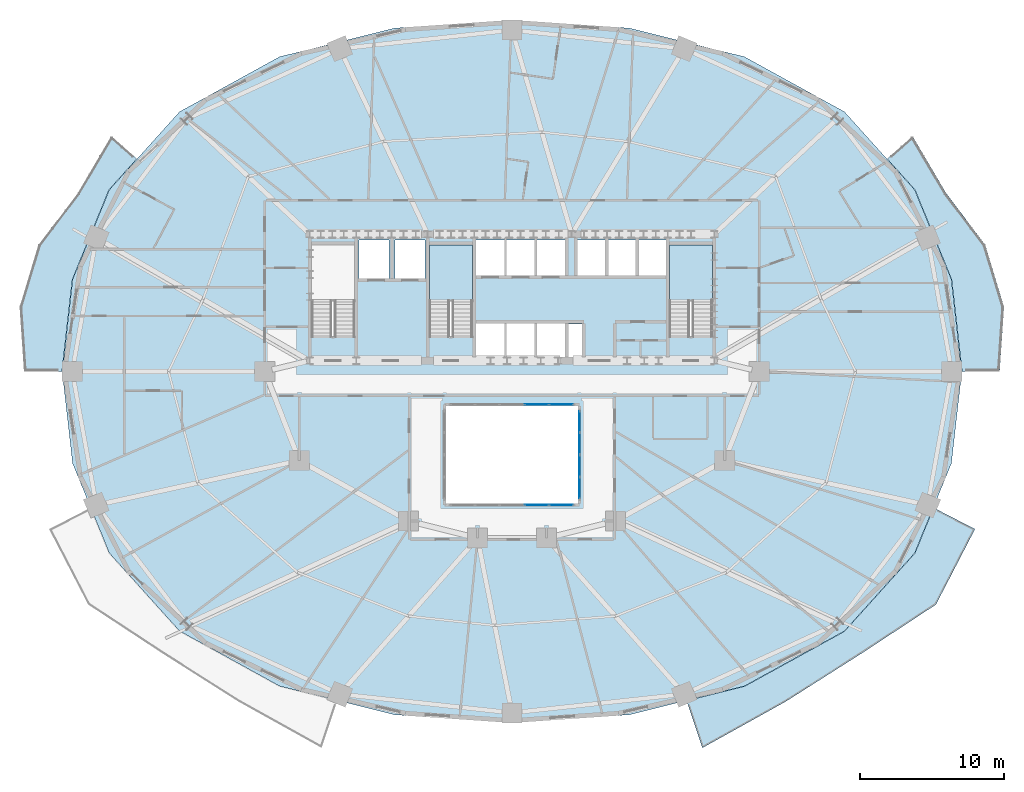
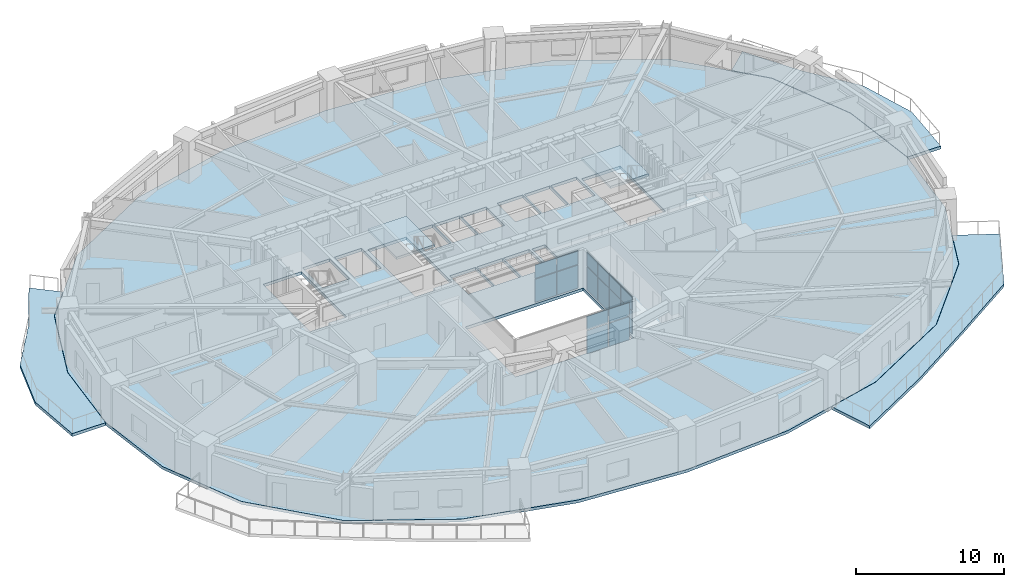
# One storey, part 8 of 18: 16 plates, 6 slabs, 5 elements without a shape of their own.
"""IFC4 building model written with IfcOpenShell, lengths in metres."""

from ifc_helpers import new_model, si_unit, direction, frame, origin, origin_2d, place, context, subcontext, project, spatial, polyline, rectangle, outline, extrude, material, layer, layer_set, type_object, element, aggregate, save


model = new_model("IFC4")

# Units and contexts
model_context = context("Model", 3, precision=1e-05, world=origin(), true_north=direction((0.0, 1.0)))
body_context = subcontext(model_context, "Body", "Model", "MODEL_VIEW")
ifc_project = project(units=[si_unit("LENGTHUNIT", "METRE"), si_unit("AREAUNIT", "SQUARE_METRE"), si_unit("VOLUMEUNIT", "CUBIC_METRE"), si_unit("PLANEANGLEUNIT", "RADIAN"), si_unit("MASSUNIT", "GRAM", prefix="KILO")], contexts=[model_context])

# Site, building, storey
site_placement = place(None, origin())
site = spatial("IfcSite", under=ifc_project, at=site_placement, CompositionType="ELEMENT")
building_placement = place(site_placement, origin())
building = spatial("IfcBuilding", under=site, at=building_placement, Name="Haldorwick Loom Tower", CompositionType="ELEMENT")
storey_placement = place(building_placement, frame((0.0, 0.0, 41.25)))
storey = spatial("IfcBuildingStorey", under=building, at=storey_placement, Name="L10", CompositionType="ELEMENT", Elevation=41.25)

# Curtain wall, plates
ifc_material_1 = material(Name="Thermally Broken Anodized Aluminium Curtain Wall Framing", Category="aluminium")
curtain_wall_type = type_object("IfcCurtainWallType", Name="ARC-CW-03", PredefinedType="NOTDEFINED", material=ifc_material_1)
curtain_wall_1_placement = place(storey_placement, origin())
curtain_wall_1 = element("IfcCurtainWall", 1, at=curtain_wall_1_placement, inside=storey, type_object=curtain_wall_type, Name="L10 Atrium Glazed Screen S", PredefinedType="NOTDEFINED")
ifc_material_2 = material(Name="Triple-Glazed Low-E Argon Insulated Glazing Unit", Category="glass")
ifc_layer_1 = layer(ifc_material_2, 0.04296875, Name="Triple-Glazed Low-E Argon Insulated Glazing Unit", Category="glass")
ifc_layer_set_1 = layer_set([ifc_layer_1], Name="Triple-Glazed Low-E Argon Insulated Glazing Unit")
plate_type = type_object("IfcPlateType", Name="ARC-CWP-03", PredefinedType="CURTAIN_PANEL", material=ifc_layer_set_1)
plate_1_placement = place(storey_placement, frame((39.423583984375, 16.699951171875, 0.066162109375), z_axis=(0.0, 0.0, 1.0), x_axis=(-1.0, 0.0, 0.0)))
plate_1 = element("IfcPlate", 2, at=plate_1_placement, type_object=plate_type, Name="CW-03 panel 1.1", PredefinedType="CURTAIN_PANEL", context=body_context, shape_type="SweptSolid", body=[
    extrude(rectangle(XDim=1.62109375, YDim=0.04296875, at=origin_2d()), origin(), (0.0, 0.0, 1.0), 1.90087890625),
])
plate_2_placement = place(storey_placement, frame((39.423583984375, 16.699951171875, 2.03271484375), z_axis=(0.0, 0.0, 1.0), x_axis=(-1.0, 0.0, 0.0)))
plate_2 = element("IfcPlate", 3, at=plate_2_placement, type_object=plate_type, Name="CW-03 panel 1.2", PredefinedType="CURTAIN_PANEL", context=body_context, shape_type="SweptSolid", body=[
    extrude(rectangle(XDim=1.62109375, YDim=0.04296875, at=origin_2d()), origin(), (0.0, 0.0, 1.0), 1.111083984375),
])
plate_3_placement = place(storey_placement, frame((37.719970703125, 16.699951171875, 0.066162109375), z_axis=(0.0, 0.0, 1.0), x_axis=(-1.0, 0.0, 0.0)))
plate_3 = element("IfcPlate", 4, at=plate_3_placement, type_object=plate_type, Name="CW-03 panel 2.1", PredefinedType="CURTAIN_PANEL", context=body_context, shape_type="SweptSolid", body=[
    extrude(rectangle(XDim=1.654052734375, YDim=0.04296875, at=origin_2d()), origin(), (0.0, 0.0, 1.0), 1.90087890625),
])
plate_4_placement = place(storey_placement, frame((37.719970703125, 16.699951171875, 2.03271484375), z_axis=(0.0, 0.0, 1.0), x_axis=(-1.0, 0.0, 0.0)))
plate_4 = element("IfcPlate", 5, at=plate_4_placement, type_object=plate_type, Name="CW-03 panel 2.2", PredefinedType="CURTAIN_PANEL", context=body_context, shape_type="SweptSolid", body=[
    extrude(rectangle(XDim=1.654052734375, YDim=0.04296875, at=origin_2d()), origin(), (0.0, 0.0, 1.0), 1.111083984375),
])
aggregate(curtain_wall_1, [plate_1, plate_2, plate_3, plate_4])

curtain_wall_2_placement = place(storey_placement, origin())
curtain_wall_2 = element("IfcCurtainWall", 6, at=curtain_wall_2_placement, inside=storey, type_object=curtain_wall_type, Name="L10 Atrium Glazed Screen N", PredefinedType="NOTDEFINED")
plate_5_placement = place(storey_placement, frame((37.719970703125, 23.699951171875, 0.066162109375), z_axis=(0.0, 0.0, 1.0), x_axis=(1.0, 0.0, 0.0)))
plate_5 = element("IfcPlate", 7, at=plate_5_placement, type_object=plate_type, Name="CW-03 panel 4.1", PredefinedType="CURTAIN_PANEL", context=body_context, shape_type="SweptSolid", body=[
    extrude(rectangle(XDim=1.654052734375, YDim=0.04296875, at=origin_2d()), origin(), (0.0, 0.0, 1.0), 1.90087890625),
])
plate_6_placement = place(storey_placement, frame((37.719970703125, 23.699951171875, 2.03271484375), z_axis=(0.0, 0.0, 1.0), x_axis=(1.0, 0.0, 0.0)))
plate_6 = element("IfcPlate", 8, at=plate_6_placement, type_object=plate_type, Name="CW-03 panel 4.2", PredefinedType="CURTAIN_PANEL", context=body_context, shape_type="SweptSolid", body=[
    extrude(rectangle(XDim=1.654052734375, YDim=0.04296875, at=origin_2d()), origin(), (0.0, 0.0, 1.0), 1.111083984375),
])
plate_7_placement = place(storey_placement, frame((39.423583984375, 23.699951171875, 0.066162109375), z_axis=(0.0, 0.0, 1.0), x_axis=(1.0, 0.0, 0.0)))
plate_7 = element("IfcPlate", 9, at=plate_7_placement, type_object=plate_type, Name="CW-03 panel 5.1", PredefinedType="CURTAIN_PANEL", context=body_context, shape_type="SweptSolid", body=[
    extrude(rectangle(XDim=1.62109375, YDim=0.04296875, at=origin_2d()), origin(), (0.0, 0.0, 1.0), 1.90087890625),
])
plate_8_placement = place(storey_placement, frame((39.423583984375, 23.699951171875, 2.03271484375), z_axis=(0.0, 0.0, 1.0), x_axis=(1.0, 0.0, 0.0)))
plate_8 = element("IfcPlate", 10, at=plate_8_placement, type_object=plate_type, Name="CW-03 panel 5.2", PredefinedType="CURTAIN_PANEL", context=body_context, shape_type="SweptSolid", body=[
    extrude(rectangle(XDim=1.62109375, YDim=0.04296875, at=origin_2d()), origin(), (0.0, 0.0, 1.0), 1.111083984375),
])
aggregate(curtain_wall_2, [plate_5, plate_6, plate_7, plate_8])

curtain_wall_3_placement = place(storey_placement, origin())
curtain_wall_3 = element("IfcCurtainWall", 11, at=curtain_wall_3_placement, inside=storey, type_object=curtain_wall_type, Name="L10 Atrium Glazed Screen E", PredefinedType="NOTDEFINED")
plate_9_placement = place(storey_placement, frame((40.699951171875, 22.508544921875, 0.066162109375), z_axis=(0.0, 0.0, 1.0), x_axis=(0.0, -1.0, 0.0)))
plate_9 = element("IfcPlate", 12, at=plate_9_placement, type_object=plate_type, Name="CW-03 panel 1.1", PredefinedType="CURTAIN_PANEL", context=body_context, shape_type="SweptSolid", body=[
    extrude(rectangle(XDim=1.450927734375, YDim=0.04296875, at=origin_2d()), origin(), (0.0, 0.0, 1.0), 1.90087890625),
])
plate_10_placement = place(storey_placement, frame((40.699951171875, 22.508544921875, 2.03271484375), z_axis=(0.0, 0.0, 1.0), x_axis=(0.0, -1.0, 0.0)))
plate_10 = element("IfcPlate", 13, at=plate_10_placement, type_object=plate_type, Name="CW-03 panel 1.2", PredefinedType="CURTAIN_PANEL", context=body_context, shape_type="SweptSolid", body=[
    extrude(rectangle(XDim=1.450927734375, YDim=0.04296875, at=origin_2d()), origin(), (0.0, 0.0, 1.0), 1.111083984375),
])
plate_11_placement = place(storey_placement, frame((40.699951171875, 20.97509765625, 0.066162109375), z_axis=(0.0, 0.0, 1.0), x_axis=(0.0, -1.0, 0.0)))
plate_11 = element("IfcPlate", 14, at=plate_11_placement, type_object=plate_type, Name="CW-03 panel 2.1", PredefinedType="CURTAIN_PANEL", context=body_context, shape_type="SweptSolid", body=[
    extrude(rectangle(XDim=1.48388671875, YDim=0.04296875, at=origin_2d()), origin(), (0.0, 0.0, 1.0), 1.90087890625),
])
plate_12_placement = place(storey_placement, frame((40.699951171875, 20.97509765625, 2.03271484375), z_axis=(0.0, 0.0, 1.0), x_axis=(0.0, -1.0, 0.0)))
plate_12 = element("IfcPlate", 15, at=plate_12_placement, type_object=plate_type, Name="CW-03 panel 2.2", PredefinedType="CURTAIN_PANEL", context=body_context, shape_type="SweptSolid", body=[
    extrude(rectangle(XDim=1.48388671875, YDim=0.04296875, at=origin_2d()), origin(), (0.0, 0.0, 1.0), 1.111083984375),
])
plate_13_placement = place(storey_placement, frame((40.699951171875, 19.425048828125, 0.066162109375), z_axis=(0.0, 0.0, 1.0), x_axis=(0.0, -1.0, 0.0)))
plate_13 = element("IfcPlate", 16, at=plate_13_placement, type_object=plate_type, Name="CW-03 panel 3.1", PredefinedType="CURTAIN_PANEL", context=body_context, shape_type="SweptSolid", body=[
    extrude(rectangle(XDim=1.48388671875, YDim=0.04296875, at=origin_2d()), origin(), (0.0, 0.0, 1.0), 1.90087890625),
])
plate_14_placement = place(storey_placement, frame((40.699951171875, 19.425048828125, 2.03271484375), z_axis=(0.0, 0.0, 1.0), x_axis=(0.0, -1.0, 0.0)))
plate_14 = element("IfcPlate", 17, at=plate_14_placement, type_object=plate_type, Name="CW-03 panel 3.2", PredefinedType="CURTAIN_PANEL", context=body_context, shape_type="SweptSolid", body=[
    extrude(rectangle(XDim=1.48388671875, YDim=0.04296875, at=origin_2d()), origin(), (0.0, 0.0, 1.0), 1.111083984375),
])
plate_15_placement = place(storey_placement, frame((40.699951171875, 17.8916015625, 0.066162109375), z_axis=(0.0, 0.0, 1.0), x_axis=(0.0, -1.0, 0.0)))
plate_15 = element("IfcPlate", 18, at=plate_15_placement, type_object=plate_type, Name="CW-03 panel 4.1", PredefinedType="CURTAIN_PANEL", context=body_context, shape_type="SweptSolid", body=[
    extrude(rectangle(XDim=1.450927734375, YDim=0.04296875, at=origin_2d()), origin(), (0.0, 0.0, 1.0), 1.90087890625),
])
plate_16_placement = place(storey_placement, frame((40.699951171875, 17.8916015625, 2.03271484375), z_axis=(0.0, 0.0, 1.0), x_axis=(0.0, -1.0, 0.0)))
plate_16 = element("IfcPlate", 19, at=plate_16_placement, type_object=plate_type, Name="CW-03 panel 4.2", PredefinedType="CURTAIN_PANEL", context=body_context, shape_type="SweptSolid", body=[
    extrude(rectangle(XDim=1.450927734375, YDim=0.04296875, at=origin_2d()), origin(), (0.0, 0.0, 1.0), 1.111083984375),
])
aggregate(curtain_wall_3, [plate_9, plate_10, plate_11, plate_12, plate_13, plate_14, plate_15, plate_16])

# Slabs
ifc_material_3 = material(Name="Concrete C40 (40 MPa)", Category="concrete")
ifc_layer_2 = layer(ifc_material_3, 0.239990234375, Name="Concrete C40 (40 MPa)", Category="concrete")
ifc_layer_set_2 = layer_set([ifc_layer_2], Name="Concrete C40 (40 MPa)")
slab_type_1 = type_object("IfcSlabType", Name="STR-SLB-BAL240", PredefinedType="FLOOR", material=ifc_layer_set_2)
slab_1_placement = place(storey_placement, frame((0.0, 0.0, -0.239990234375)))
element("IfcSlab", 20, at=slab_1_placement, inside=storey, type_object=slab_type_1, Name="L10 Sinusoidal Balcony Terrace BAL_SE", PredefinedType="FLOOR", context=body_context, shape_type="SweptSolid", body=[
    extrude(outline(polyline([(65.324462890625, 16.51708984375), (64.031494140625, 13.356689453125), (64.031005859375, 13.355712890625), (64.030517578125, 13.3544921875), (64.02978515625, 13.353515625), (64.02880859375, 13.3525390625), (59.13623046875, 7.92333984375), (59.13525390625, 7.922119140625), (59.1337890625, 7.921142578125), (59.13232421875, 7.92041015625), (52.18310546875, 4.09814453125), (52.18212890625, 4.097412109375), (52.180908203125, 4.096923828125), (52.1796875, 4.0966796875), (48.15185546875, 3.091064453125), (49.24658203125, -0.189208984375), (55.027587890625, 3.0263671875), (60.330810546875, 6.390380859375), (65.49072265625, 9.7822265625), (68.208984375, 15.03076171875), (65.324462890625, 16.51708984375)])), origin(), (0.0, 0.0, 1.0), 0.239990234375),
])
slab_2_placement = place(storey_placement, frame((0.0, 0.0, -0.239990234375)))
element("IfcSlab", 21, at=slab_2_placement, inside=storey, type_object=slab_type_1, Name="L10 Sinusoidal Balcony Terrace BAL_WNW", PredefinedType="FLOOR", context=body_context, shape_type="SweptSolid", body=[
    extrude(outline(polyline([(4.68896484375, 26.0), (4.689208984375, 26.001708984375), (5.41552734375, 32.40087890625), (5.415771484375, 32.40234375), (5.416015625, 32.40380859375), (5.41650390625, 32.405029296875), (7.968505859375, 38.643310546875), (7.968994140625, 38.644287109375), (7.969482421875, 38.6455078125), (7.97021484375, 38.646484375), (7.97119140625, 38.6474609375), (9.901123046875, 40.7890625), (8.1337890625, 42.366943359375), (5.800048828125, 38.401123046875), (3.07373046875, 34.795654296875), (1.771240234375, 30.487060546875), (2.073974609375, 26.0), (4.68896484375, 26.0)])), origin(), (0.0, 0.0, 1.0), 0.239990234375),
])
slab_3_placement = place(storey_placement, frame((0.0, 0.0, -0.239990234375)))
element("IfcSlab", 22, at=slab_3_placement, inside=storey, type_object=slab_type_1, Name="L10 Sinusoidal Balcony Terrace BAL_ENE", PredefinedType="FLOOR", context=body_context, shape_type="SweptSolid", body=[
    extrude(outline(polyline([(62.098876953125, 40.7890625), (64.02880859375, 38.6474609375), (64.02978515625, 38.646484375), (64.030517578125, 38.6455078125), (64.031005859375, 38.644287109375), (64.031494140625, 38.643310546875), (66.58349609375, 32.405029296875), (66.583984375, 32.40380859375), (66.584228515625, 32.40234375), (66.58447265625, 32.40087890625), (67.310791015625, 26.001708984375), (67.31103515625, 26.0), (69.926025390625, 26.0), (70.228759765625, 30.487060546875), (68.92626953125, 34.795654296875), (66.199951171875, 38.401123046875), (63.8662109375, 42.366943359375), (62.098876953125, 40.7890625)])), origin(), (0.0, 0.0, 1.0), 0.239990234375),
])

# Stair, slab
stair_type = type_object("IfcStairType", Name="STR-STR-CORE", PredefinedType="HALF_TURN_STAIR", material=ifc_material_3)
stair_1_placement = place(storey_placement, origin())
stair_1 = element("IfcStair", 23, at=stair_1_placement, inside=storey, type_object=stair_type, Name="L10 Exit Stair ST-02", PredefinedType="HALF_TURN_STAIR")
ifc_layer_3 = layer(ifc_material_3, 0.199951171875, Name="Concrete C40 (40 MPa)", Category="concrete")
ifc_layer_set_3 = layer_set([ifc_layer_3], Name="Concrete C40 (40 MPa)")
slab_type_2 = type_object("IfcSlabType", Name="STR-SLB-LAND200", PredefinedType="LANDING", material=ifc_layer_set_3)
slab_4_placement = place(storey_placement, frame((0.0, 0.0, 1.52490234375)))
slab_4 = element("IfcSlab", 24, at=slab_4_placement, type_object=slab_type_2, Name="ST-02 landing 1", PredefinedType="LANDING", context=body_context, shape_type="SweptSolid", body=[
    extrude(outline(polyline([(49.949951171875, 30.919921875), (49.949951171875, 34.800048828125), (46.949951171875, 34.800048828125), (46.949951171875, 30.919921875), (49.949951171875, 30.919921875)])), origin(), (0.0, 0.0, 1.0), 0.2001953125),
])
aggregate(stair_1, [slab_4])

stair_2_placement = place(storey_placement, origin())
stair_2 = element("IfcStair", 25, at=stair_2_placement, inside=storey, type_object=stair_type, Name="L10 Exit Stair ST-03", PredefinedType="HALF_TURN_STAIR")
slab_5_placement = place(storey_placement, frame((0.0, 0.0, 1.52490234375)))
slab_5 = element("IfcSlab", 26, at=slab_5_placement, type_object=slab_type_2, Name="ST-03 landing 1", PredefinedType="LANDING", context=body_context, shape_type="SweptSolid", body=[
    extrude(outline(polyline([(33.25, 30.919921875), (33.25, 34.800048828125), (30.25, 34.800048828125), (30.25, 30.919921875), (33.25, 30.919921875)])), origin(), (0.0, 0.0, 1.0), 0.2001953125),
])
aggregate(stair_2, [slab_5])

# Slab
ifc_layer_4 = layer(ifc_material_3, 0.239990234375, Name="Concrete C40 (40 MPa)", Category="concrete")
ifc_layer_set_4 = layer_set([ifc_layer_4], Name="Concrete C40 (40 MPa)")
slab_type_3 = type_object("IfcSlabType", Name="STR-SLB-RES240", PredefinedType="FLOOR", material=ifc_layer_set_4)
slab_6_placement = place(storey_placement, frame((0.0, 0.0, -0.239990234375)))
element("IfcSlab", 27, at=slab_6_placement, inside=storey, type_object=slab_type_3, Name="L10 Residential Structural Floor Slab", PredefinedType="FLOOR", context=body_context, shape_type="SweptSolid", body=[
    extrude(outline(polyline([(59.125244140625, 7.933349609375), (64.017578125, 13.362548828125), (66.569580078125, 19.6005859375), (67.2958984375, 26.0), (66.569580078125, 32.3994140625), (64.017578125, 38.637451171875), (59.125244140625, 44.066650390625), (52.176025390625, 47.888916015625), (44.191162109375, 49.882568359375), (36.0, 50.449951171875), (27.808837890625, 49.882568359375), (19.823974609375, 47.888916015625), (12.874755859375, 44.066650390625), (7.982421875, 38.637451171875), (5.430419921875, 32.3994140625), (4.7041015625, 26.0), (5.430419921875, 19.6005859375), (7.982421875, 13.362548828125), (12.874755859375, 7.933349609375), (19.823974609375, 4.111083984375), (27.808837890625, 2.117431640625), (36.0, 1.550048828125), (44.191162109375, 2.117431640625), (52.176025390625, 4.111083984375), (59.125244140625, 7.933349609375)]), holes=[polyline([(31.39990234375, 23.60009765625), (40.60009765625, 23.60009765625), (40.60009765625, 16.800048828125), (31.39990234375, 16.800048828125), (31.39990234375, 23.60009765625)]), polyline([(33.5, 26.85009765625), (33.5, 29.35009765625), (35.5, 29.35009765625), (35.5, 26.85009765625), (33.5, 26.85009765625)]), polyline([(22.050048828125, 28.39990234375), (22.050048828125, 34.800048828125), (25.050048828125, 34.800048828125), (25.050048828125, 28.639892578125), (23.6201171875, 28.639892578125), (23.6201171875, 28.39990234375), (22.050048828125, 28.39990234375)]), polyline([(30.25, 28.39990234375), (30.25, 34.800048828125), (33.25, 34.800048828125), (33.25, 28.639892578125), (31.820068359375, 28.639892578125), (31.820068359375, 28.39990234375), (30.25, 28.39990234375)]), polyline([(25.35009765625, 32.449951171875), (25.35009765625, 35.14990234375), (27.449951171875, 35.14990234375), (27.449951171875, 32.449951171875), (25.35009765625, 32.449951171875)]), polyline([(27.85009765625, 32.449951171875), (27.85009765625, 35.14990234375), (29.949951171875, 35.14990234375), (29.949951171875, 32.449951171875), (27.85009765625, 32.449951171875)]), polyline([(33.5, 32.64990234375), (33.5, 35.14990234375), (35.5, 35.14990234375), (35.5, 32.64990234375), (33.5, 32.64990234375)]), polyline([(35.60009765625, 32.64990234375), (35.60009765625, 35.14990234375), (37.60009765625, 35.14990234375), (37.60009765625, 32.64990234375), (35.60009765625, 32.64990234375)]), polyline([(35.60009765625, 26.85009765625), (35.60009765625, 29.35009765625), (37.60009765625, 29.35009765625), (37.60009765625, 26.85009765625), (35.60009765625, 26.85009765625)]), polyline([(37.699951171875, 26.85009765625), (37.699951171875, 29.35009765625), (39.699951171875, 29.35009765625), (39.699951171875, 26.85009765625), (37.699951171875, 26.85009765625)]), polyline([(39.89990234375, 26.89990234375), (39.89990234375, 29.300048828125), (40.89990234375, 29.300048828125), (40.89990234375, 26.89990234375), (39.89990234375, 26.89990234375)]), polyline([(46.949951171875, 28.39990234375), (46.949951171875, 34.800048828125), (49.949951171875, 34.800048828125), (49.949951171875, 28.639892578125), (48.52001953125, 28.639892578125), (48.52001953125, 28.39990234375), (46.949951171875, 28.39990234375)]), polyline([(37.699951171875, 32.64990234375), (37.699951171875, 35.14990234375), (39.699951171875, 35.14990234375), (39.699951171875, 32.64990234375), (37.699951171875, 32.64990234375)]), polyline([(40.550048828125, 32.64990234375), (40.550048828125, 35.14990234375), (42.550048828125, 35.14990234375), (42.550048828125, 32.64990234375), (40.550048828125, 32.64990234375)]), polyline([(42.64990234375, 32.64990234375), (42.64990234375, 35.14990234375), (44.64990234375, 35.14990234375), (44.64990234375, 32.64990234375), (42.64990234375, 32.64990234375)]), polyline([(44.75, 32.64990234375), (44.75, 35.14990234375), (46.75, 35.14990234375), (46.75, 32.64990234375), (44.75, 32.64990234375)])]), origin(), (0.0, 0.0, 1.0), 0.239990234375),
])

save(model, "model.ifc")
